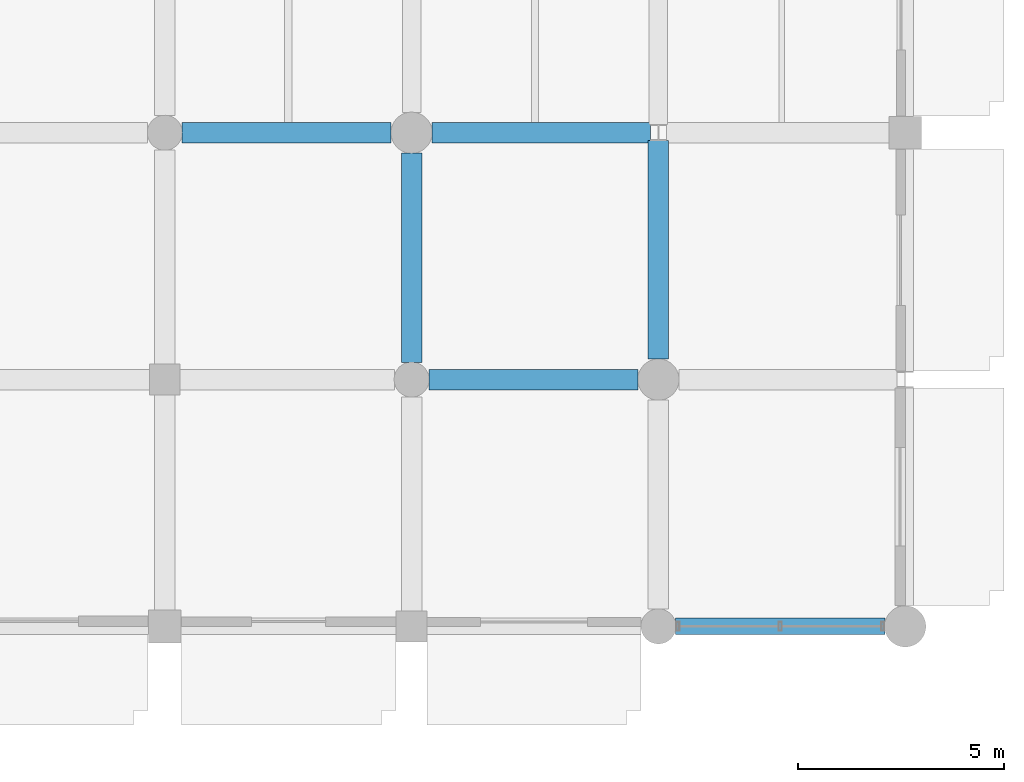
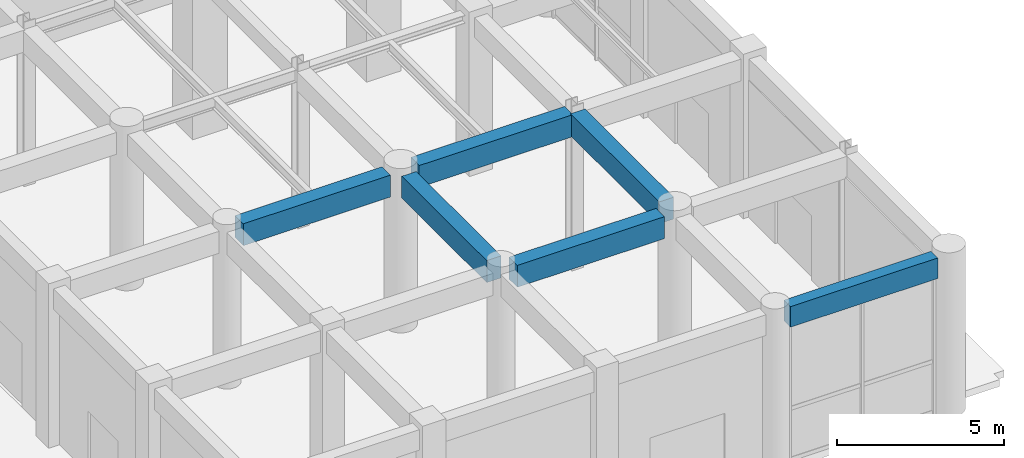
# One storey, part 54 of 106: 6 beams.
"""IFC4 building model written with IfcOpenShell, lengths in metres."""

from ifc_helpers import new_model, si_unit, direction, frame, origin, origin_2d, place, context, subcontext, project, spatial, rectangle, extrude, material, material_profile, profile_set, type_object, element, save


model = new_model("IFC4")

# Units and contexts
model_context = context("Model", 3, precision=1e-05, world=origin(), true_north=direction((0.0, 1.0)))
body_context = subcontext(model_context, "Body", "Model", "MODEL_VIEW")
ifc_project = project(units=[si_unit("LENGTHUNIT", "METRE"), si_unit("AREAUNIT", "SQUARE_METRE"), si_unit("VOLUMEUNIT", "CUBIC_METRE"), si_unit("PLANEANGLEUNIT", "RADIAN"), si_unit("MASSUNIT", "GRAM", prefix="KILO"), si_unit("THERMODYNAMICTEMPERATUREUNIT", "KELVIN"), si_unit("POWERUNIT", "WATT")], contexts=[model_context])

# Site, building, storey
site_placement = place(None, origin())
site = spatial("IfcSite", under=ifc_project, at=site_placement, CompositionType="ELEMENT")
building_placement = place(site_placement, origin())
building = spatial("IfcBuilding", under=site, at=building_placement, Name="Phaisarnlok Congress Hotel", CompositionType="ELEMENT")
storey_placement = place(building_placement, origin())
storey = spatial("IfcBuildingStorey", under=building, at=storey_placement, Name="L00", CompositionType="ELEMENT", Elevation=0.0)

# Beams
ifc_material = material(Name="Concrete C40/50", Category="concrete")
ifc_material_profile_1 = material_profile(ifc_material, rectangle(XDim=0.5, YDim=0.800048828125, at=origin_2d()), Name="RC 500x800")
ifc_profile_set_1 = profile_set([ifc_material_profile_1], Name="Concrete C40/50")
beam_type_1 = type_object("IfcBeamType", Name="BM-RC-500x800", PredefinedType="BEAM", material=ifc_profile_set_1)
for number, where, z_axis, x_axis, name in (
    (1, (162.419921875, 30.0, 5.340087890625), (1.0, 0.0, 0.0), (0.0, 1.0, 0.0), "Beam B-04"),
    (2, (168.419921875, 24.0, 5.360107421875), (1.0, 0.0, 0.0), (0.0, 1.0, 0.0), "Beam B-04"),
    (3, (168.0, 24.419921875, 5.360107421875), (0.0, 1.0, 0.0), (-1.0, 0.0, 0.0), "Beam B-04"),
):
    element("IfcBeam", number, at=place(storey_placement, frame(where, z_axis=z_axis, x_axis=x_axis)), inside=storey, type_object=beam_type_1, Name=name, PredefinedType="BEAM", context=body_context, shape_type="SweptSolid", body=[
        extrude(rectangle(XDim=0.5, YDim=0.800048828125, at=origin_2d()), origin(), (0.0, 0.0, 1.0), 5.0849609375),
    ])
beam_1_placement = place(storey_placement, frame((168.4951171875, 30.0, 5.340087890625), z_axis=(1.0, 0.0, 0.0), x_axis=(0.0, 1.0, 0.0)))
element("IfcBeam", 4, at=beam_1_placement, inside=storey, type_object=beam_type_1, Name="Beam B-04", PredefinedType="BEAM", context=body_context, shape_type="SweptSolid", body=[
    extrude(rectangle(XDim=0.5, YDim=0.800048828125, at=origin_2d()), origin(), (0.0, 0.0, 1.0), 5.309326171875),
])
beam_2_placement = place(storey_placement, frame((174.0, 24.4951171875, 5.360107421875), z_axis=(0.0, 1.0, 0.0), x_axis=(-1.0, 0.0, 0.0)))
element("IfcBeam", 5, at=beam_2_placement, inside=storey, type_object=beam_type_1, Name="Beam B-04", PredefinedType="BEAM", context=body_context, shape_type="SweptSolid", body=[
    extrude(rectangle(XDim=0.5, YDim=0.800048828125, at=origin_2d()), origin(), (0.0, 0.0, 1.0), 5.310302734375),
])
ifc_material_profile_2 = material_profile(ifc_material, rectangle(XDim=0.39990234375, YDim=0.75, at=origin_2d()), Name="RC 400x750")
ifc_profile_set_2 = profile_set([ifc_material_profile_2], Name="Concrete C40/50")
beam_type_2 = type_object("IfcBeamType", Name="SP-RC-400x750", PredefinedType="SPANDREL", material=ifc_profile_set_2)
beam_3_placement = place(storey_placement, frame((174.419921875, 18.0, 5.385009765625), z_axis=(1.0, 0.0, 0.0), x_axis=(0.0, 1.0, 0.0)))
element("IfcBeam", 6, at=beam_3_placement, inside=storey, type_object=beam_type_2, Name="Beam SP-02", PredefinedType="SPANDREL", context=body_context, shape_type="SweptSolid", body=[
    extrude(rectangle(XDim=0.39990234375, YDim=0.75, at=origin_2d()), origin(), (0.0, 0.0, 1.0), 5.0849609375),
])

save(model, "model.ifc")
